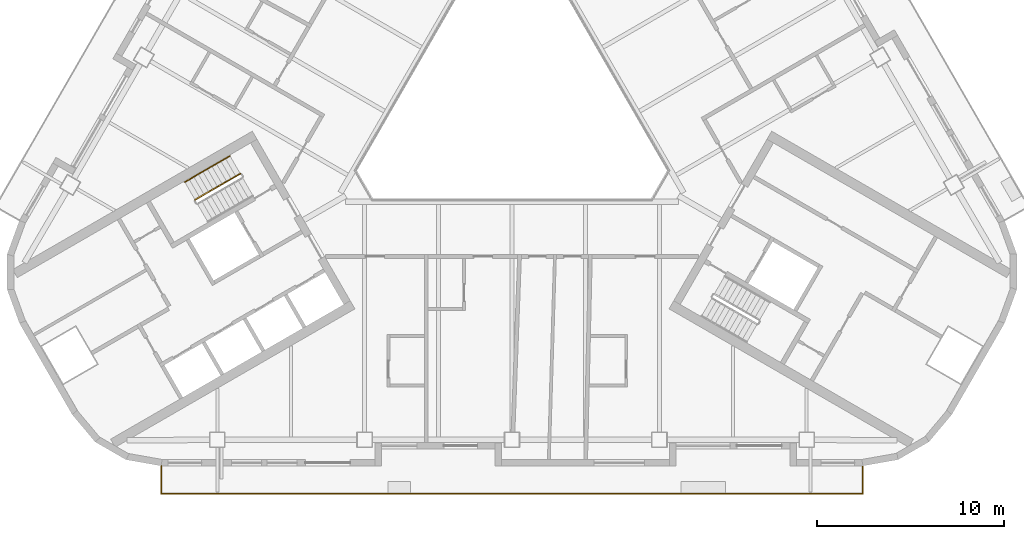
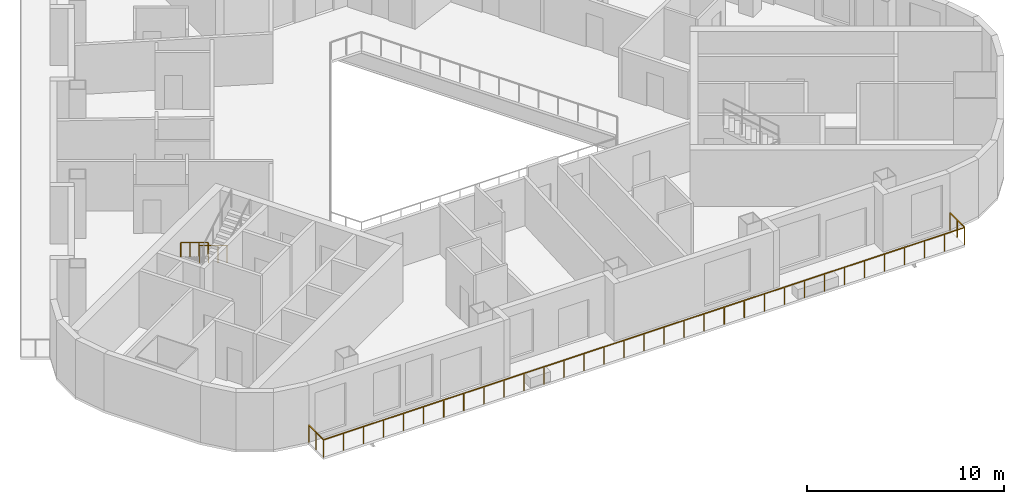
# One storey, part 10 of 14: 3 railings.
"""IFC4 building model written with IfcOpenShell, lengths in metres."""

from ifc_helpers import new_model, si_unit, direction, frame, origin, origin_2d, place, context, subcontext, project, spatial, rectangle, circle, extrude, material, type_object, element, save


model = new_model("IFC4")

# Units and contexts
model_context = context("Model", 3, precision=1e-05, world=origin(), true_north=direction((0.0, 1.0)))
body_context = subcontext(model_context, "Body", "Model", "MODEL_VIEW")
ifc_project = project(units=[si_unit("LENGTHUNIT", "METRE"), si_unit("AREAUNIT", "SQUARE_METRE"), si_unit("VOLUMEUNIT", "CUBIC_METRE"), si_unit("PLANEANGLEUNIT", "RADIAN"), si_unit("MASSUNIT", "GRAM", prefix="KILO")], contexts=[model_context])

# Site, building, storey
site_placement = place(None, origin())
site = spatial("IfcSite", under=ifc_project, at=site_placement, CompositionType="ELEMENT")
building_placement = place(site_placement, origin())
building = spatial("IfcBuilding", under=site, at=building_placement, Name="Apuvela Tower Hotel", CompositionType="ELEMENT")
storey_placement = place(building_placement, frame((0.0, 0.0, 157.699951171875)))
storey = spatial("IfcBuildingStorey", under=building, at=storey_placement, Name="L37", CompositionType="ELEMENT", Elevation=157.699951171875)

# Railings
ifc_material_1 = material(Name="Steel S275 balustrade", Category="steel")
railing_type_1 = type_object("IfcRailingType", Name="COR-GUARD-1100", PredefinedType="GUARDRAIL", material=ifc_material_1)
railing_1_placement = place(storey_placement, frame((-14.569091796875, -3.9658203125, 0.168212890625)))
element("IfcRailing", 1, at=railing_1_placement, inside=storey, type_object=railing_type_1, Name="L37 ST2 stair guard 1", PredefinedType="GUARDRAIL", context=body_context, shape_type="SweptSolid", body=[
    extrude(rectangle(XDim=0.048095703125, YDim=0.048095703125, at=origin_2d()), frame((0.0, 0.0, 1.076171875), z_axis=(-0.742390482028, -0.42860119049, 0.514934356695), x_axis=(0.49998411664, -0.866034573852, 0.0)), (0.0, 0.0, 1.0), 3.26611328125),
    extrude(rectangle(XDim=0.0419921875, YDim=0.0419921875, at=origin_2d()), origin(), (0.0, 0.0, 1.0), 1.052001953125),
    extrude(rectangle(XDim=0.0419921875, YDim=0.0419921875, at=origin_2d()), frame((-0.808349609375, -0.466552734375, 0.560546875)), (0.0, 0.0, 1.0), 1.052001953125),
    extrude(rectangle(XDim=0.0419921875, YDim=0.0419921875, at=origin_2d()), frame((-1.616455078125, -0.933349609375, 1.121337890625)), (0.0, 0.0, 1.0), 1.052001953125),
    extrude(rectangle(XDim=0.0419921875, YDim=0.0419921875, at=origin_2d()), frame((-2.4248046875, -1.39990234375, 1.681884765625)), (0.0, 0.0, 1.0), 1.052001953125),
])
ifc_material_2 = material(Name="Stainless steel 316 handrail", Category="steel")
railing_type_2 = type_object("IfcRailingType", Name="COR-HANDRAIL-900", PredefinedType="HANDRAIL", material=ifc_material_2)
railing_2_placement = place(storey_placement, frame((-15.118896484375, -3.01318359375, 0.168212890625)))
element("IfcRailing", 2, at=railing_2_placement, inside=storey, type_object=railing_type_2, Name="L37 ST2 stair handrail 1", PredefinedType="HANDRAIL", context=body_context, shape_type="SweptSolid", body=[
    extrude(circle(Radius=0.02392578125, at=origin_2d()), frame((0.0, 0.0, 0.8759765625), z_axis=(-0.742424030051, -0.428577407461, 0.514905783049), x_axis=(0.49994636267, -0.866056369097, 0.0)), (0.0, 0.0, 1.0), 3.266357421875),
    extrude(rectangle(XDim=0.0419921875, YDim=0.0419921875, at=origin_2d()), origin(), (0.0, 0.0, 1.0), 0.851806640625),
    extrude(rectangle(XDim=0.0419921875, YDim=0.0419921875, at=origin_2d()), frame((-0.808349609375, -0.466552734375, 0.560546875)), (0.0, 0.0, 1.0), 0.851806640625),
    extrude(rectangle(XDim=0.0419921875, YDim=0.0419921875, at=origin_2d()), frame((-1.61669921875, -0.933349609375, 1.121337890625)), (0.0, 0.0, 1.0), 0.851806640625),
    extrude(rectangle(XDim=0.0419921875, YDim=0.0419921875, at=origin_2d()), frame((-2.425048828125, -1.39990234375, 1.681884765625)), (0.0, 0.0, 1.0), 0.851806640625),
])
ifc_material_3 = material(Name="Stainless steel 316 rail with laminated glass infill", Category="steel")
railing_type_3 = type_object("IfcRailingType", Name="ENV-GUARD-1100", PredefinedType="GUARDRAIL", material=ifc_material_3)
railing_3_placement = place(storey_placement, frame((-18.81591796875, -19.6298828125, 0.0)))
element("IfcRailing", 3, at=railing_3_placement, inside=storey, type_object=railing_type_3, Name="Balcony guard S L37", PredefinedType="GUARDRAIL", context=body_context, shape_type="SweptSolid", body=[
    extrude(rectangle(XDim=0.050048828125, YDim=0.050048828125, at=origin_2d()), frame((0.0, 0.0, 1.0751953125), z_axis=(0.0, -1.0, 0.0), x_axis=(1.0, 0.0, 0.0)), (0.0, 0.0, 1.0), 1.5),
    extrude(rectangle(XDim=0.050048828125, YDim=0.050048828125, at=origin_2d()), frame((0.0, -1.5, 1.0751953125), z_axis=(1.0, 0.0, 0.0), x_axis=(0.0, 1.0, 0.0)), (0.0, 0.0, 1.0), 37.6318359375),
    extrude(rectangle(XDim=0.050048828125, YDim=0.050048828125, at=origin_2d()), frame((37.6318359375, -1.5, 1.0751953125), z_axis=(0.0, 1.0, 0.0), x_axis=(-1.0, 0.0, 0.0)), (0.0, 0.0, 1.0), 1.5),
    extrude(rectangle(XDim=0.0400390625, YDim=0.0400390625, at=origin_2d()), origin(), (0.0, 0.0, 1.0), 1.050048828125),
    extrude(rectangle(XDim=0.0400390625, YDim=0.0400390625, at=origin_2d()), frame((0.0, -0.75, 0.0)), (0.0, 0.0, 1.0), 1.050048828125),
    extrude(rectangle(XDim=0.0400390625, YDim=0.0400390625, at=origin_2d()), frame((0.0, -1.5, 0.0)), (0.0, 0.0, 1.0), 1.050048828125),
    extrude(rectangle(XDim=0.0400390625, YDim=0.0400390625, at=origin_2d()), frame((1.176025390625, -1.5, 0.0)), (0.0, 0.0, 1.0), 1.050048828125),
    extrude(rectangle(XDim=0.0400390625, YDim=0.0400390625, at=origin_2d()), frame((2.35205078125, -1.5, 0.0)), (0.0, 0.0, 1.0), 1.050048828125),
    extrude(rectangle(XDim=0.0400390625, YDim=0.0400390625, at=origin_2d()), frame((3.528076171875, -1.5, 0.0)), (0.0, 0.0, 1.0), 1.050048828125),
    extrude(rectangle(XDim=0.0400390625, YDim=0.0400390625, at=origin_2d()), frame((4.7041015625, -1.5, 0.0)), (0.0, 0.0, 1.0), 1.050048828125),
    extrude(rectangle(XDim=0.0400390625, YDim=0.0400390625, at=origin_2d()), frame((5.8798828125, -1.5, 0.0)), (0.0, 0.0, 1.0), 1.050048828125),
    extrude(rectangle(XDim=0.0400390625, YDim=0.0400390625, at=origin_2d()), frame((7.055908203125, -1.5, 0.0)), (0.0, 0.0, 1.0), 1.050048828125),
    extrude(rectangle(XDim=0.0400390625, YDim=0.0400390625, at=origin_2d()), frame((8.23193359375, -1.5, 0.0)), (0.0, 0.0, 1.0), 1.050048828125),
    extrude(rectangle(XDim=0.0400390625, YDim=0.0400390625, at=origin_2d()), frame((9.407958984375, -1.5, 0.0)), (0.0, 0.0, 1.0), 1.050048828125),
    extrude(rectangle(XDim=0.0400390625, YDim=0.0400390625, at=origin_2d()), frame((10.583984375, -1.5, 0.0)), (0.0, 0.0, 1.0), 1.050048828125),
    extrude(rectangle(XDim=0.0400390625, YDim=0.0400390625, at=origin_2d()), frame((11.760009765625, -1.5, 0.0)), (0.0, 0.0, 1.0), 1.050048828125),
    extrude(rectangle(XDim=0.0400390625, YDim=0.0400390625, at=origin_2d()), frame((12.93603515625, -1.5, 0.0)), (0.0, 0.0, 1.0), 1.050048828125),
    extrude(rectangle(XDim=0.0400390625, YDim=0.0400390625, at=origin_2d()), frame((14.11181640625, -1.5, 0.0)), (0.0, 0.0, 1.0), 1.050048828125),
    extrude(rectangle(XDim=0.0400390625, YDim=0.0400390625, at=origin_2d()), frame((15.287841796875, -1.5, 0.0)), (0.0, 0.0, 1.0), 1.050048828125),
    extrude(rectangle(XDim=0.0400390625, YDim=0.0400390625, at=origin_2d()), frame((16.4638671875, -1.5, 0.0)), (0.0, 0.0, 1.0), 1.050048828125),
    extrude(rectangle(XDim=0.0400390625, YDim=0.0400390625, at=origin_2d()), frame((17.639892578125, -1.5, 0.0)), (0.0, 0.0, 1.0), 1.050048828125),
    extrude(rectangle(XDim=0.0400390625, YDim=0.0400390625, at=origin_2d()), frame((18.81591796875, -1.5, 0.0)), (0.0, 0.0, 1.0), 1.050048828125),
    extrude(rectangle(XDim=0.0400390625, YDim=0.0400390625, at=origin_2d()), frame((19.991943359375, -1.5, 0.0)), (0.0, 0.0, 1.0), 1.050048828125),
    extrude(rectangle(XDim=0.0400390625, YDim=0.0400390625, at=origin_2d()), frame((21.16796875, -1.5, 0.0)), (0.0, 0.0, 1.0), 1.050048828125),
    extrude(rectangle(XDim=0.0400390625, YDim=0.0400390625, at=origin_2d()), frame((22.343994140625, -1.5, 0.0)), (0.0, 0.0, 1.0), 1.050048828125),
    extrude(rectangle(XDim=0.0400390625, YDim=0.0400390625, at=origin_2d()), frame((23.52001953125, -1.5, 0.0)), (0.0, 0.0, 1.0), 1.050048828125),
    extrude(rectangle(XDim=0.0400390625, YDim=0.0400390625, at=origin_2d()), frame((24.69580078125, -1.5, 0.0)), (0.0, 0.0, 1.0), 1.050048828125),
    extrude(rectangle(XDim=0.0400390625, YDim=0.0400390625, at=origin_2d()), frame((25.871826171875, -1.5, 0.0)), (0.0, 0.0, 1.0), 1.050048828125),
    extrude(rectangle(XDim=0.0400390625, YDim=0.0400390625, at=origin_2d()), frame((27.0478515625, -1.5, 0.0)), (0.0, 0.0, 1.0), 1.050048828125),
    extrude(rectangle(XDim=0.0400390625, YDim=0.0400390625, at=origin_2d()), frame((28.223876953125, -1.5, 0.0)), (0.0, 0.0, 1.0), 1.050048828125),
    extrude(rectangle(XDim=0.0400390625, YDim=0.0400390625, at=origin_2d()), frame((29.39990234375, -1.5, 0.0)), (0.0, 0.0, 1.0), 1.050048828125),
    extrude(rectangle(XDim=0.0400390625, YDim=0.0400390625, at=origin_2d()), frame((30.575927734375, -1.5, 0.0)), (0.0, 0.0, 1.0), 1.050048828125),
    extrude(rectangle(XDim=0.0400390625, YDim=0.0400390625, at=origin_2d()), frame((31.751953125, -1.5, 0.0)), (0.0, 0.0, 1.0), 1.050048828125),
    extrude(rectangle(XDim=0.0400390625, YDim=0.0400390625, at=origin_2d()), frame((32.927734375, -1.5, 0.0)), (0.0, 0.0, 1.0), 1.050048828125),
    extrude(rectangle(XDim=0.0400390625, YDim=0.0400390625, at=origin_2d()), frame((34.103759765625, -1.5, 0.0)), (0.0, 0.0, 1.0), 1.050048828125),
    extrude(rectangle(XDim=0.0400390625, YDim=0.0400390625, at=origin_2d()), frame((35.27978515625, -1.5, 0.0)), (0.0, 0.0, 1.0), 1.050048828125),
    extrude(rectangle(XDim=0.0400390625, YDim=0.0400390625, at=origin_2d()), frame((36.455810546875, -1.5, 0.0)), (0.0, 0.0, 1.0), 1.050048828125),
    extrude(rectangle(XDim=0.0400390625, YDim=0.0400390625, at=origin_2d()), frame((37.6318359375, -1.5, 0.0)), (0.0, 0.0, 1.0), 1.050048828125),
    extrude(rectangle(XDim=0.0400390625, YDim=0.0400390625, at=origin_2d()), frame((37.6318359375, -0.75, 0.0)), (0.0, 0.0, 1.0), 1.050048828125),
    extrude(rectangle(XDim=0.0400390625, YDim=0.0400390625, at=origin_2d()), frame((37.6318359375, 0.0, 0.0)), (0.0, 0.0, 1.0), 1.050048828125),
])

save(model, "model.ifc")
